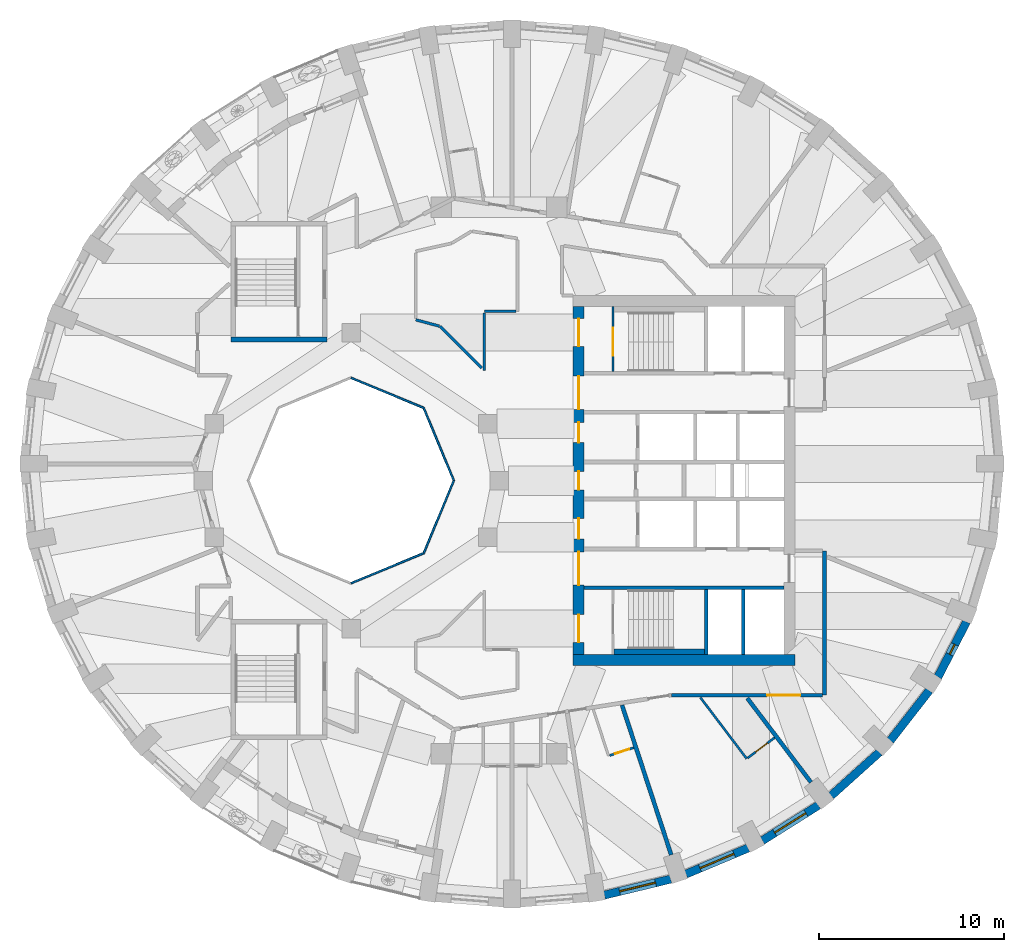
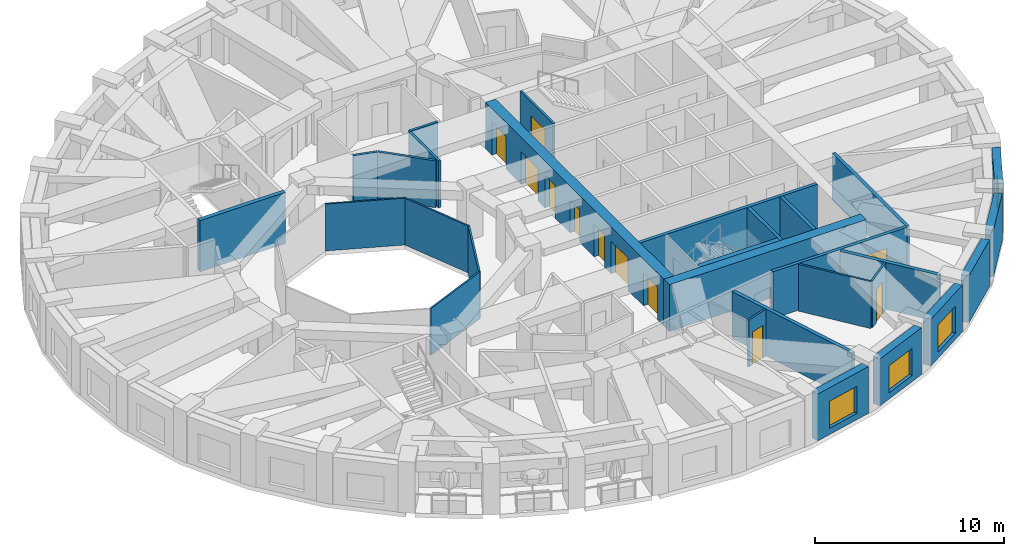
# One storey, part 5 of 12: 29 walls, 11 doors, 4 windows, 15 openings.
"""IFC4 building model written with IfcOpenShell, lengths in metres."""

from ifc_helpers import new_model, si_unit, direction, frame, frame_2d, origin, place, context, subcontext, project, spatial, rectangle, extrude, material, layer, layer_set, type_object, element, fill, save


model = new_model("IFC4")

# Units and contexts
model_context = context("Model", 3, precision=1e-05, world=origin(), true_north=direction((0.0, 1.0)))
body_context = subcontext(model_context, "Body", "Model", "MODEL_VIEW")
ifc_project = project(units=[si_unit("LENGTHUNIT", "METRE"), si_unit("AREAUNIT", "SQUARE_METRE"), si_unit("VOLUMEUNIT", "CUBIC_METRE"), si_unit("PLANEANGLEUNIT", "RADIAN"), si_unit("MASSUNIT", "GRAM", prefix="KILO")], contexts=[model_context])

# Site, building, storey
site_placement = place(None, origin())
site = spatial("IfcSite", under=ifc_project, at=site_placement, CompositionType="ELEMENT")
building_placement = place(site_placement, origin())
building = spatial("IfcBuilding", under=site, at=building_placement, Name="Taillehof Tower", CompositionType="ELEMENT")
storey_placement = place(building_placement, frame((0.0, 0.0, 212.300048828125)))
storey = spatial("IfcBuildingStorey", under=building, at=storey_placement, Name="L60", CompositionType="ELEMENT", Elevation=212.300048828125)

# Walls
ifc_material_1 = material(Name="Fire-resisting glass in steel frame", Category="steel")
ifc_layer_1 = layer(ifc_material_1, 0.10009765625)
ifc_layer_set_1 = layer_set([ifc_layer_1], Name="Atrium fire-resisting screen EI 60 100")
wall_type_1 = type_object("IfcWallType", Name="Atrium fire-resisting screen EI 60 100", PredefinedType="PARTITIONING", material=ifc_layer_set_1)
for number, where, z_axis, x_axis, name in (
    (1, (-2.44580078125, 0.0, 0.0), (0.0, 0.0, 1.0), (-0.382730523909, -0.923860025149, 0.0), "Atrium screen"),
    (2, (-4.07275390625, -3.92724609375, 0.0), (0.0, 0.0, 1.0), (-0.923860025149, -0.382730523909, 0.0), "Atrium screen"),
    (3, (-8.0, 5.55419921875, 0.0), (0.0, 0.0, 1.0), (0.923860025149, -0.382730523909, 0.0), "Atrium screen"),
    (4, (-4.07275390625, 3.92724609375, 0.0), (0.0, 0.0, 1.0), (0.382730523909, -0.923860025149, 0.0), "Atrium screen"),
):
    element("IfcWall", number, at=place(storey_placement, frame(where, z_axis=z_axis, x_axis=x_axis)), inside=storey, type_object=wall_type_1, Name=name, PredefinedType="PARTITIONING", context=body_context, shape_type="SweptSolid", body=[
        extrude(rectangle(XDim=4.2509765625, YDim=0.10009765625, at=frame_2d((2.12548828125, 0.0))), origin(), (0.0, 0.0, 1.0), 3.02001953125),
    ])

# Wall, opening, window
ifc_material_2 = material(Name="Brick masonry", Category="masonry")
ifc_layer_2 = layer(ifc_material_2, 0.449951171875)
ifc_layer_set_2 = layer_set([ifc_layer_2], Name="Brick infill wall 450")
wall_type_2 = type_object("IfcWallType", Name="Brick infill wall 450", PredefinedType="SOLIDWALL", material=ifc_layer_set_2)
wall_1_placement = place(storey_placement, frame((5.690673828125, -22.41357421875, 0.0), z_axis=(0.0, 0.0, 1.0), x_axis=(0.9721584944, 0.234324266275, 0.0)))
wall_1 = element("IfcWall", 5, at=wall_1_placement, inside=storey, type_object=wall_type_2, Name="Brick wall L60 bay 29", PredefinedType="SOLIDWALL", context=body_context, shape_type="SweptSolid", body=[
    extrude(rectangle(XDim=3.69775390625, YDim=0.449951171875, at=frame_2d((1.848876953125, 0.0))), origin(), (0.0, 0.0, 1.0), 3.02001953125),
])
opening_1_placement = place(wall_1_placement, frame((0.848876953125, 0.0, 0.39990234375)))
opening_1 = element("IfcOpeningElement", 6, at=opening_1_placement, cuts=wall_1, Name="Opening W2", PredefinedType="OPENING", context=body_context, shape_type="SweptSolid", body=[
    extrude(rectangle(XDim=2.0, YDim=1.75, at=frame_2d((1.0, 0.875))), frame((0.0, 0.23486328125, 0.0), z_axis=(0.0, -1.0, 0.0), x_axis=(1.0, 0.0, 0.0)), (0.0, 0.0, 1.0), 0.469970703125),
])
ifc_material_3 = material(Name="Aluminium window frame with clear double glazing", Category="aluminium")
window_type_1 = type_object("IfcWindowType", Name="Deep-set window 2000x1750", PartitioningType="SINGLE_PANEL", PredefinedType="WINDOW", material=ifc_material_3)
window_1_placement = place(opening_1_placement, origin())
window_1 = element("IfcWindow", 7, at=window_1_placement, inside=storey, type_object=window_type_1, Name="W2", OverallHeight=1.75, OverallWidth=2.0, PartitioningType="SINGLE_PANEL", PredefinedType="WINDOW", context=body_context, shape_type="SweptSolid", body=[
    extrude(rectangle(XDim=2.0, YDim=1.75, at=frame_2d((1.0, 0.875))), frame((0.0, 0.034912109375, 0.0), z_axis=(0.0, -1.0, 0.0), x_axis=(1.0, 0.0, 0.0)), (0.0, 0.0, 1.0), 0.06005859375),
])
fill(opening_1, window_1)

wall_2_placement = place(storey_placement, frame((10.1025390625, -21.279052734375, 0.0), z_axis=(0.0, 0.0, 1.0), x_axis=(0.922168222612, 0.386789050006, 0.0)))
wall_2 = element("IfcWall", 8, at=wall_2_placement, inside=storey, type_object=wall_type_2, Name="Brick wall L60 bay 30", PredefinedType="SOLIDWALL", context=body_context, shape_type="SweptSolid", body=[
    extrude(rectangle(XDim=3.65087890625, YDim=0.449951171875, at=frame_2d((1.825439453125, 0.0))), origin(), (0.0, 0.0, 1.0), 3.02001953125),
])
opening_2_placement = place(wall_2_placement, frame((0.825439453125, 0.0, 0.39990234375)))
opening_2 = element("IfcOpeningElement", 9, at=opening_2_placement, cuts=wall_2, Name="Opening W2", PredefinedType="OPENING", context=body_context, shape_type="SweptSolid", body=[
    extrude(rectangle(XDim=2.0, YDim=1.75, at=frame_2d((1.0, 0.875))), frame((0.0, 0.23486328125, 0.0), z_axis=(0.0, -1.0, 0.0), x_axis=(1.0, 0.0, 0.0)), (0.0, 0.0, 1.0), 0.469970703125),
])
window_2_placement = place(opening_2_placement, origin())
window_2 = element("IfcWindow", 10, at=window_2_placement, inside=storey, type_object=window_type_1, Name="W2", OverallHeight=1.75, OverallWidth=2.0, PartitioningType="SINGLE_PANEL", PredefinedType="WINDOW", context=body_context, shape_type="SweptSolid", body=[
    extrude(rectangle(XDim=2.0, YDim=1.75, at=frame_2d((1.0, 0.875))), frame((0.0, 0.034912109375, 0.0), z_axis=(0.0, -1.0, 0.0), x_axis=(1.0, 0.0, 0.0)), (0.0, 0.0, 1.0), 0.06005859375),
])
fill(opening_2, window_2)

wall_3_placement = place(storey_placement, frame((14.232421875, -19.469970703125, 0.0), z_axis=(0.0, 0.0, 1.0), x_axis=(0.84614984472, 0.532945063098, 0.0)))
wall_3 = element("IfcWall", 11, at=wall_3_placement, inside=storey, type_object=wall_type_2, Name="Brick wall L60 bay 31", PredefinedType="SOLIDWALL", context=body_context, shape_type="SweptSolid", body=[
    extrude(rectangle(XDim=3.58642578125, YDim=0.449951171875, at=frame_2d((1.793212890625, 0.0))), origin(), (0.0, 0.0, 1.0), 3.02001953125),
])
opening_3_placement = place(wall_3_placement, frame((0.79345703125, 0.0, 0.39990234375)))
opening_3 = element("IfcOpeningElement", 12, at=opening_3_placement, cuts=wall_3, Name="Opening W2", PredefinedType="OPENING", context=body_context, shape_type="SweptSolid", body=[
    extrude(rectangle(XDim=2.0, YDim=1.75, at=frame_2d((1.0, 0.875))), frame((0.0, 0.23486328125, 0.0), z_axis=(0.0, -1.0, 0.0), x_axis=(1.0, 0.0, 0.0)), (0.0, 0.0, 1.0), 0.469970703125),
])
window_3_placement = place(opening_3_placement, origin())
window_3 = element("IfcWindow", 13, at=window_3_placement, inside=storey, type_object=window_type_1, Name="W2", OverallHeight=1.75, OverallWidth=2.0, PartitioningType="SINGLE_PANEL", PredefinedType="WINDOW", context=body_context, shape_type="SweptSolid", body=[
    extrude(rectangle(XDim=2.0, YDim=1.75, at=frame_2d((1.0, 0.875))), frame((0.0, 0.034912109375, 0.0), z_axis=(0.0, -1.0, 0.0), x_axis=(1.0, 0.0, 0.0)), (0.0, 0.0, 1.0), 0.06005859375),
])
fill(opening_3, window_3)

# Walls
wall_4_placement = place(storey_placement, frame((17.953369140625, -17.039794921875, 0.0), z_axis=(0.0, 0.0, 1.0), x_axis=(0.743442727602, 0.668799604348, 0.0)))
element("IfcWall", 14, at=wall_4_placement, inside=storey, type_object=wall_type_2, Name="Brick wall L60 bay 32", PredefinedType="SOLIDWALL", context=body_context, shape_type="SweptSolid", body=[
    extrude(rectangle(XDim=3.5126953125, YDim=0.449951171875, at=frame_2d((1.75634765625, 0.0))), origin(), (0.0, 0.0, 1.0), 3.02001953125),
])
wall_5_placement = place(storey_placement, frame((21.1513671875, -14.06103515625, 0.0), z_axis=(0.0, 0.0, 1.0), x_axis=(0.614255239631, 0.789107407509, 0.0)))
element("IfcWall", 15, at=wall_5_placement, inside=storey, type_object=wall_type_2, Name="Brick wall L60 bay 33", PredefinedType="SOLIDWALL", context=body_context, shape_type="SweptSolid", body=[
    extrude(rectangle(XDim=3.4375, YDim=0.449951171875, at=frame_2d((1.71875, 0.0))), origin(), (0.0, 0.0, 1.0), 3.02001953125),
])

# Wall, opening, window
wall_6_placement = place(storey_placement, frame((23.72705078125, -10.6240234375, 0.0), z_axis=(0.0, 0.0, 1.0), x_axis=(0.460175500475, 0.887827972505, 0.0)))
wall_6 = element("IfcWall", 16, at=wall_6_placement, inside=storey, type_object=wall_type_2, Name="Brick wall L60 bay 34", PredefinedType="SOLIDWALL", context=body_context, shape_type="SweptSolid", body=[
    extrude(rectangle(XDim=3.37060546875, YDim=0.449951171875, at=frame_2d((1.685302734375, 0.0))), origin(), (0.0, 0.0, 1.0), 3.02001953125),
])
opening_4_placement = place(wall_6_placement, frame((1.38525390625, 0.0, 0.39990234375)))
opening_4 = element("IfcOpeningElement", 17, at=opening_4_placement, cuts=wall_6, Name="Opening W6", PredefinedType="OPENING", context=body_context, shape_type="SweptSolid", body=[
    extrude(rectangle(XDim=0.60009765625, YDim=1.75, at=frame_2d((0.300048828125, 0.875))), frame((0.0, 0.23486328125, 0.0), z_axis=(0.0, -1.0, 0.0), x_axis=(1.0, 0.0, 0.0)), (0.0, 0.0, 1.0), 0.469970703125),
])
ifc_material_4 = material(Name="Aluminium window frame with clear double glazing", Category="aluminium")
window_type_2 = type_object("IfcWindowType", Name="Slot window 600x1750", PartitioningType="SINGLE_PANEL", PredefinedType="WINDOW", material=ifc_material_4)
window_4_placement = place(opening_4_placement, origin())
window_4 = element("IfcWindow", 18, at=window_4_placement, inside=storey, type_object=window_type_2, Name="W6", OverallHeight=1.75, OverallWidth=0.60009765625, PartitioningType="SINGLE_PANEL", PredefinedType="WINDOW", context=body_context, shape_type="SweptSolid", body=[
    extrude(rectangle(XDim=0.60009765625, YDim=1.75, at=frame_2d((0.300048828125, 0.875))), frame((0.0, 0.034912109375, 0.0), z_axis=(0.0, -1.0, 0.0), x_axis=(1.0, 0.0, 0.0)), (0.0, 0.0, 1.0), 0.06005859375),
])
fill(opening_4, window_4)

# Wall
ifc_material_5 = material(Name="Gypsum board on steel studs, two layers each side", Category="steel")
ifc_layer_3 = layer(ifc_material_5, 0.199951171875)
ifc_layer_set_3 = layer_set([ifc_layer_3], Name="Compartment wall corridor 200")
wall_type_3 = type_object("IfcWallType", Name="Compartment wall corridor 200", PredefinedType="PARTITIONING", material=ifc_layer_set_3)
wall_7_placement = place(storey_placement, frame((17.60009765625, -3.800048828125, 0.0), z_axis=(0.0, 0.0, 1.0), x_axis=(0.0, -1.0, 0.0)))
element("IfcWall", 19, at=wall_7_placement, inside=storey, type_object=wall_type_3, Name="Compartment wall", PredefinedType="PARTITIONING", context=body_context, shape_type="SweptSolid", body=[
    extrude(rectangle(XDim=7.800048828125, YDim=0.199951171875, at=frame_2d((3.89990234375, 0.0))), origin(), (0.0, 0.0, 1.0), 3.02001953125),
])

# Wall, opening, door
wall_8_placement = place(storey_placement, frame((17.5, -11.60009765625, 0.0), z_axis=(0.0, 0.0, 1.0), x_axis=(-1.0, 0.0, 0.0)))
wall_8 = element("IfcWall", 20, at=wall_8_placement, inside=storey, type_object=wall_type_3, Name="Compartment wall", PredefinedType="PARTITIONING", context=body_context, shape_type="SweptSolid", body=[
    extrude(rectangle(XDim=8.173828125, YDim=0.199951171875, at=frame_2d((4.0869140625, 0.0))), origin(), (0.0, 0.0, 1.0), 3.02001953125),
])
opening_5_placement = place(wall_8_placement, frame((1.20849609375, 0.0, 0.0)))
opening_5 = element("IfcOpeningElement", 21, at=opening_5_placement, cuts=wall_8, Name="Opening D6062", PredefinedType="OPENING", context=body_context, shape_type="SweptSolid", body=[
    extrude(rectangle(XDim=1.800048828125, YDim=2.10009765625, at=frame_2d((0.89990234375, 1.050048828125))), frame((0.0, 0.10986328125, 0.0), z_axis=(0.0, -1.0, 0.0), x_axis=(1.0, 0.0, 0.0)), (0.0, 0.0, 1.0), 0.219970703125),
])
ifc_material_6 = material(Name="Timber door leaf in steel frame", Category="steel")
door_type_1 = type_object("IfcDoorType", Name="Lounge and meeting room double door EI 30 1800 x 2100", OperationType="SINGLE_SWING_LEFT", PredefinedType="DOOR", material=ifc_material_6)
door_1_placement = place(opening_5_placement, origin())
door_1 = element("IfcDoor", 22, at=door_1_placement, inside=storey, type_object=door_type_1, Name="D6062", OperationType="DOUBLE_DOOR_SINGLE_SWING", OverallHeight=2.10009765625, OverallWidth=1.800048828125, PredefinedType="DOOR", context=body_context, shape_type="SweptSolid", body=[
    extrude(rectangle(XDim=1.800048828125, YDim=2.10009765625, at=frame_2d((0.89990234375, 1.050048828125))), frame((0.0, 0.02490234375, 0.0), z_axis=(0.0, -1.0, 0.0), x_axis=(1.0, 0.0, 0.0)), (0.0, 0.0, 1.0), 0.050048828125),
])
fill(opening_5, door_1)

# Walls
ifc_material_7 = material(Name="Gypsum board on double steel studs with mineral wool", Category="steel")
ifc_layer_4 = layer(ifc_material_7, 0.219970703125)
ifc_layer_set_4 = layer_set([ifc_layer_4], Name="Compartment wall guest room 220")
wall_type_4 = type_object("IfcWallType", Name="Compartment wall guest room 220", PredefinedType="PARTITIONING", material=ifc_layer_set_4)
wall_9_placement = place(storey_placement, frame((9.30712890625, -20.2353515625, 0.0), z_axis=(0.0, 0.0, 1.0), x_axis=(-0.311959631661, 0.950095357432, 0.0)))
element("IfcWall", 23, at=wall_9_placement, inside=storey, type_object=wall_type_4, Name="Compartment wall", PredefinedType="PARTITIONING", context=body_context, shape_type="SweptSolid", body=[
    extrude(rectangle(XDim=8.517822265625, YDim=0.219970703125, at=frame_2d((4.2587890625, 0.0))), origin(), (0.0, 0.0, 1.0), 3.02001953125),
])
wall_10_placement = place(storey_placement, frame((16.86328125, -16.3125, 0.0), z_axis=(0.0, 0.0, 1.0), x_axis=(-0.603636051313, 0.797260006243, 0.0)))
element("IfcWall", 24, at=wall_10_placement, inside=storey, type_object=wall_type_4, Name="Compartment wall", PredefinedType="PARTITIONING", context=body_context, shape_type="SweptSolid", body=[
    extrude(rectangle(XDim=5.70556640625, YDim=0.219970703125, at=frame_2d((2.852783203125, 0.0))), origin(), (0.0, 0.0, 1.0), 3.02001953125),
])
ifc_material_8 = material(Name="Calcium silicate masonry", Category="masonry")
ifc_layer_5 = layer(ifc_material_8, 0.300048828125)
ifc_layer_set_5 = layer_set([ifc_layer_5], Name="Compartment wall lining calcium silicate 300")
wall_type_5 = type_object("IfcWallType", Name="Compartment wall lining calcium silicate 300", PredefinedType="PARTITIONING", material=ifc_layer_set_5)
wall_11_placement = place(storey_placement, frame((6.219970703125, -9.25, 0.0), z_axis=(0.0, 0.0, 1.0), x_axis=(1.0, 0.0, 0.0)))
element("IfcWall", 25, at=wall_11_placement, inside=storey, type_object=wall_type_5, Name="Compartment wall FW", PredefinedType="PARTITIONING", context=body_context, shape_type="SweptSolid", body=[
    extrude(rectangle(XDim=4.880126953125, YDim=0.300048828125, at=frame_2d((2.43994140625, 0.0))), origin(), (0.0, 0.0, 1.0), 3.02001953125),
])
ifc_material_9 = material(Name="Gypsum board on steel studs, two layers each side", Category="steel")
ifc_layer_6 = layer(ifc_material_9, 0.14990234375)
ifc_layer_set_6 = layer_set([ifc_layer_6], Name="Compartment wall service room 150")
wall_type_6 = type_object("IfcWallType", Name="Compartment wall service room 150", PredefinedType="PARTITIONING", material=ifc_layer_set_6)
wall_12_placement = place(storey_placement, frame((0.919921875, 9.14990234375, 0.0), z_axis=(0.0, 0.0, 1.0), x_axis=(-1.0, 0.0, 0.0)))
element("IfcWall", 26, at=wall_12_placement, inside=storey, type_object=wall_type_6, Name="Compartment wall", PredefinedType="PARTITIONING", context=body_context, shape_type="SweptSolid", body=[
    extrude(rectangle(XDim=1.719970703125, YDim=0.14990234375, at=frame_2d((0.85986328125, 0.0))), origin(), (0.0, 0.0, 1.0), 3.02001953125),
])
wall_13_placement = place(storey_placement, frame((-0.800048828125, 9.06982421875, 0.0), z_axis=(0.0, 0.0, 1.0), x_axis=(0.0, -1.0, 0.0)))
element("IfcWall", 27, at=wall_13_placement, inside=storey, type_object=wall_type_6, Name="Compartment wall", PredefinedType="PARTITIONING", context=body_context, shape_type="SweptSolid", body=[
    extrude(rectangle(XDim=3.11767578125, YDim=0.14990234375, at=frame_2d((1.558837890625, 0.0))), origin(), (0.0, 0.0, 1.0), 3.02001953125),
])
wall_14_placement = place(storey_placement, frame((-0.927490234375, 6.07958984375, 0.0), z_axis=(0.0, 0.0, 1.0), x_axis=(-0.707106781187, 0.707106781187, 0.0)))
element("IfcWall", 28, at=wall_14_placement, inside=storey, type_object=wall_type_6, Name="Compartment wall", PredefinedType="PARTITIONING", context=body_context, shape_type="SweptSolid", body=[
    extrude(rectangle(XDim=3.194091796875, YDim=0.14990234375, at=frame_2d((1.59716796875, 0.0))), origin(), (0.0, 0.0, 1.0), 3.02001953125),
])
wall_15_placement = place(storey_placement, frame((-3.224609375, 8.348388671875, 0.0), z_axis=(0.0, 0.0, 1.0), x_axis=(-0.965915035697, 0.258859312783, 0.0)))
element("IfcWall", 29, at=wall_15_placement, inside=storey, type_object=wall_type_6, Name="Compartment wall", PredefinedType="PARTITIONING", context=body_context, shape_type="SweptSolid", body=[
    extrude(rectangle(XDim=1.3203125, YDim=0.14990234375, at=frame_2d((0.66015625, 0.0))), origin(), (0.0, 0.0, 1.0), 3.02001953125),
])

# Wall, openings, doors
ifc_material_10 = material(Name="Concrete C80/95", Category="concrete")
ifc_layer_7 = layer(ifc_material_10, 0.60009765625)
ifc_layer_set_7 = layer_set([ifc_layer_7], Name="Core wall C80/95 600")
wall_type_7 = type_object("IfcWallType", Name="Core wall C80/95 600", PredefinedType="SHEAR", material=ifc_layer_set_7)
wall_16_placement = place(storey_placement, frame((4.300048828125, -9.39990234375, 0.0), z_axis=(0.0, 0.0, 1.0), x_axis=(0.0, 1.0, 0.0)))
wall_16 = element("IfcWall", 30, at=wall_16_placement, inside=storey, type_object=wall_type_7, Name="Core wall CW01", PredefinedType="SHEAR", context=body_context, shape_type="SweptSolid", body=[
    extrude(rectangle(XDim=18.7998046875, YDim=0.60009765625, at=frame_2d((9.39990234375, 0.0))), origin(), (0.0, 0.0, 1.0), 3.02001953125),
])
opening_6_placement = place(wall_16_placement, frame((0.64990234375, 0.0, 0.0)))
opening_6 = element("IfcOpeningElement", 31, at=opening_6_placement, cuts=wall_16, Name="Opening D6001", PredefinedType="OPENING", context=body_context, shape_type="SweptSolid", body=[
    extrude(rectangle(XDim=1.5, YDim=2.10009765625, at=frame_2d((0.75, 1.050048828125))), frame((0.0, 0.31005859375, 0.0), z_axis=(0.0, -1.0, 0.0), x_axis=(1.0, 0.0, 0.0)), (0.0, 0.0, 1.0), 0.6201171875),
])
opening_7_placement = place(wall_16_placement, frame((3.75, 0.0, 0.0)))
opening_7 = element("IfcOpeningElement", 32, at=opening_7_placement, cuts=wall_16, Name="Opening D6002", PredefinedType="OPENING", context=body_context, shape_type="SweptSolid", body=[
    extrude(rectangle(XDim=1.800048828125, YDim=2.10009765625, at=frame_2d((0.89990234375, 1.050048828125))), frame((0.0, 0.31005859375, 0.0), z_axis=(0.0, -1.0, 0.0), x_axis=(1.0, 0.0, 0.0)), (0.0, 0.0, 1.0), 0.6201171875),
])
opening_8_placement = place(wall_16_placement, frame((6.25, 0.0, 0.0)))
opening_8 = element("IfcOpeningElement", 33, at=opening_8_placement, cuts=wall_16, Name="Opening D6003", PredefinedType="OPENING", context=body_context, shape_type="SweptSolid", body=[
    extrude(rectangle(XDim=1.10009765625, YDim=2.10009765625, at=frame_2d((0.550048828125, 1.050048828125))), frame((0.0, 0.31005859375, 0.0), z_axis=(0.0, -1.0, 0.0), x_axis=(1.0, 0.0, 0.0)), (0.0, 0.0, 1.0), 0.6201171875),
])
opening_9_placement = place(wall_16_placement, frame((8.89990234375, 0.0, 0.0)))
opening_9 = element("IfcOpeningElement", 34, at=opening_9_placement, cuts=wall_16, Name="Opening D6004", PredefinedType="OPENING", context=body_context, shape_type="SweptSolid", body=[
    extrude(rectangle(XDim=1.0, YDim=2.10009765625, at=frame_2d((0.5, 1.050048828125))), frame((0.0, 0.31005859375, 0.0), z_axis=(0.0, -1.0, 0.0), x_axis=(1.0, 0.0, 0.0)), (0.0, 0.0, 1.0), 0.6201171875),
])
opening_10_placement = place(wall_16_placement, frame((11.449951171875, 0.0, 0.0)))
opening_10 = element("IfcOpeningElement", 35, at=opening_10_placement, cuts=wall_16, Name="Opening D6005", PredefinedType="OPENING", context=body_context, shape_type="SweptSolid", body=[
    extrude(rectangle(XDim=1.10009765625, YDim=2.10009765625, at=frame_2d((0.550048828125, 1.050048828125))), frame((0.0, 0.31005859375, 0.0), z_axis=(0.0, -1.0, 0.0), x_axis=(1.0, 0.0, 0.0)), (0.0, 0.0, 1.0), 0.6201171875),
])
opening_11_placement = place(wall_16_placement, frame((13.25, 0.0, 0.0)))
opening_11 = element("IfcOpeningElement", 36, at=opening_11_placement, cuts=wall_16, Name="Opening D6006", PredefinedType="OPENING", context=body_context, shape_type="SweptSolid", body=[
    extrude(rectangle(XDim=1.800048828125, YDim=2.10009765625, at=frame_2d((0.89990234375, 1.050048828125))), frame((0.0, 0.31005859375, 0.0), z_axis=(0.0, -1.0, 0.0), x_axis=(1.0, 0.0, 0.0)), (0.0, 0.0, 1.0), 0.6201171875),
])
opening_12_placement = place(wall_16_placement, frame((16.64990234375, 0.0, 0.0)))
opening_12 = element("IfcOpeningElement", 37, at=opening_12_placement, cuts=wall_16, Name="Opening D6007", PredefinedType="OPENING", context=body_context, shape_type="SweptSolid", body=[
    extrude(rectangle(XDim=1.5, YDim=2.10009765625, at=frame_2d((0.75, 1.050048828125))), frame((0.0, 0.31005859375, 0.0), z_axis=(0.0, -1.0, 0.0), x_axis=(1.0, 0.0, 0.0)), (0.0, 0.0, 1.0), 0.6201171875),
])
ifc_material_11 = material(Name="Steel-faced fire door", Category="steel")
door_type_2 = type_object("IfcDoorType", Name="Firefighting lobby door 1100x2100", OperationType="SINGLE_SWING_RIGHT", PredefinedType="DOOR", material=ifc_material_11)
door_2_placement = place(opening_8_placement, origin())
door_2 = element("IfcDoor", 38, at=door_2_placement, inside=storey, type_object=door_type_2, Name="Firefighting lobby door FFL-S", OperationType="SINGLE_SWING_RIGHT", OverallHeight=2.10009765625, OverallWidth=1.10009765625, PredefinedType="DOOR", context=body_context, shape_type="SweptSolid", body=[
    extrude(rectangle(XDim=1.10009765625, YDim=2.10009765625, at=frame_2d((0.550048828125, 1.050048828125))), frame((0.0, 0.02490234375, 0.0), z_axis=(0.0, -1.0, 0.0), x_axis=(1.0, 0.0, 0.0)), (0.0, 0.0, 1.0), 0.050048828125),
])
fill(opening_8, door_2)
door_3_placement = place(opening_10_placement, origin())
door_3 = element("IfcDoor", 39, at=door_3_placement, inside=storey, type_object=door_type_2, Name="Firefighting lobby door FFL-N", OperationType="SINGLE_SWING_LEFT", OverallHeight=2.10009765625, OverallWidth=1.10009765625, PredefinedType="DOOR", context=body_context, shape_type="SweptSolid", body=[
    extrude(rectangle(XDim=1.10009765625, YDim=2.10009765625, at=frame_2d((0.550048828125, 1.050048828125))), frame((0.0, 0.02490234375, 0.0), z_axis=(0.0, -1.0, 0.0), x_axis=(1.0, 0.0, 0.0)), (0.0, 0.0, 1.0), 0.050048828125),
])
fill(opening_10, door_3)
ifc_material_12 = material(Name="Steel-faced fire door", Category="steel")
door_type_3 = type_object("IfcDoorType", Name="Lift lobby door 1800x2100", OperationType="DOUBLE_DOOR_SINGLE_SWING", PredefinedType="DOOR", material=ifc_material_12)
door_4_placement = place(opening_7_placement, origin())
door_4 = element("IfcDoor", 40, at=door_4_placement, inside=storey, type_object=door_type_3, Name="Lift lobby door LL-S", OperationType="DOUBLE_DOOR_SINGLE_SWING", OverallHeight=2.10009765625, OverallWidth=1.800048828125, PredefinedType="DOOR", context=body_context, shape_type="SweptSolid", body=[
    extrude(rectangle(XDim=1.800048828125, YDim=2.10009765625, at=frame_2d((0.89990234375, 1.050048828125))), frame((0.0, 0.02490234375, 0.0), z_axis=(0.0, -1.0, 0.0), x_axis=(1.0, 0.0, 0.0)), (0.0, 0.0, 1.0), 0.050048828125),
])
fill(opening_7, door_4)
door_5_placement = place(opening_11_placement, origin())
door_5 = element("IfcDoor", 41, at=door_5_placement, inside=storey, type_object=door_type_3, Name="Lift lobby door LL-N", OperationType="DOUBLE_DOOR_SINGLE_SWING", OverallHeight=2.10009765625, OverallWidth=1.800048828125, PredefinedType="DOOR", context=body_context, shape_type="SweptSolid", body=[
    extrude(rectangle(XDim=1.800048828125, YDim=2.10009765625, at=frame_2d((0.89990234375, 1.050048828125))), frame((0.0, 0.02490234375, 0.0), z_axis=(0.0, -1.0, 0.0), x_axis=(1.0, 0.0, 0.0)), (0.0, 0.0, 1.0), 0.050048828125),
])
fill(opening_11, door_5)
ifc_material_13 = material(Name="Steel-faced fire door", Category="steel")
door_type_4 = type_object("IfcDoorType", Name="Service door 1000x2100", OperationType="SINGLE_SWING_RIGHT", PredefinedType="DOOR", material=ifc_material_13)
door_6_placement = place(opening_9_placement, origin())
door_6 = element("IfcDoor", 42, at=door_6_placement, inside=storey, type_object=door_type_4, Name="Service door SV", OperationType="SINGLE_SWING_RIGHT", OverallHeight=2.10009765625, OverallWidth=1.0, PredefinedType="DOOR", context=body_context, shape_type="SweptSolid", body=[
    extrude(rectangle(XDim=1.0, YDim=2.10009765625, at=frame_2d((0.5, 1.050048828125))), frame((0.0, 0.02490234375, 0.0), z_axis=(0.0, -1.0, 0.0), x_axis=(1.0, 0.0, 0.0)), (0.0, 0.0, 1.0), 0.050048828125),
])
fill(opening_9, door_6)
ifc_material_14 = material(Name="Steel-faced fire door", Category="steel")
door_type_5 = type_object("IfcDoorType", Name="Stair door 1500x2100", OperationType="DOUBLE_DOOR_SINGLE_SWING", PredefinedType="DOOR", material=ifc_material_14)
door_7_placement = place(opening_6_placement, origin())
door_7 = element("IfcDoor", 43, at=door_7_placement, inside=storey, type_object=door_type_5, Name="Stair door S2", OperationType="DOUBLE_DOOR_SINGLE_SWING", OverallHeight=2.10009765625, OverallWidth=1.5, PredefinedType="DOOR", context=body_context, shape_type="SweptSolid", body=[
    extrude(rectangle(XDim=1.5, YDim=2.10009765625, at=frame_2d((0.75, 1.050048828125))), frame((0.0, 0.02490234375, 0.0), z_axis=(0.0, -1.0, 0.0), x_axis=(1.0, 0.0, 0.0)), (0.0, 0.0, 1.0), 0.050048828125),
])
fill(opening_6, door_7)
door_8_placement = place(opening_12_placement, origin())
door_8 = element("IfcDoor", 44, at=door_8_placement, inside=storey, type_object=door_type_5, Name="Stair door S1", OperationType="DOUBLE_DOOR_SINGLE_SWING", OverallHeight=2.10009765625, OverallWidth=1.5, PredefinedType="DOOR", context=body_context, shape_type="SweptSolid", body=[
    extrude(rectangle(XDim=1.5, YDim=2.10009765625, at=frame_2d((0.75, 1.050048828125))), frame((0.0, 0.02490234375, 0.0), z_axis=(0.0, -1.0, 0.0), x_axis=(1.0, 0.0, 0.0)), (0.0, 0.0, 1.0), 0.050048828125),
])
fill(opening_12, door_8)

# Walls
wall_17_placement = place(storey_placement, frame((4.0, -9.699951171875, 0.0), z_axis=(0.0, 0.0, 1.0), x_axis=(1.0, 0.0, 0.0)))
element("IfcWall", 45, at=wall_17_placement, inside=storey, type_object=wall_type_7, Name="Core wall CW07", PredefinedType="SHEAR", context=body_context, shape_type="SweptSolid", body=[
    extrude(rectangle(XDim=12.0, YDim=0.60009765625, at=frame_2d((6.0, 0.0))), origin(), (0.0, 0.0, 1.0), 3.02001953125),
])
ifc_material_15 = material(Name="Gypsum board on steel studs, moisture resistant", Category="steel")
ifc_layer_8 = layer(ifc_material_15, 0.1201171875)
ifc_layer_set_8 = layer_set([ifc_layer_8], Name="En-suite wall 120")
wall_type_8 = type_object("IfcWallType", Name="En-suite wall 120", PredefinedType="PARTITIONING", material=ifc_layer_set_8)
wall_18_placement = place(storey_placement, frame((10.88671875, -11.73193359375, 0.0), z_axis=(0.0, 0.0, 1.0), x_axis=(0.603646932038, -0.797251767913, 0.0)))
element("IfcWall", 46, at=wall_18_placement, inside=storey, type_object=wall_type_8, Name="En-suite wall", PredefinedType="PARTITIONING", context=body_context, shape_type="SweptSolid", body=[
    extrude(rectangle(XDim=4.148681640625, YDim=0.1201171875, at=frame_2d((2.07421875, 0.0))), origin(), (0.0, 0.0, 1.0), 3.02001953125),
])

# Wall, opening, door
wall_19_placement = place(storey_placement, frame((5.97607421875, -14.8671875, 0.0), z_axis=(0.0, 0.0, 1.0), x_axis=(0.950123887932, 0.311872726573, 0.0)))
wall_19 = element("IfcWall", 47, at=wall_19_placement, inside=storey, type_object=wall_type_8, Name="En-suite wall", PredefinedType="PARTITIONING", context=body_context, shape_type="SweptSolid", body=[
    extrude(rectangle(XDim=1.380126953125, YDim=0.1201171875, at=frame_2d((0.68994140625, 0.0))), origin(), (0.0, 0.0, 1.0), 3.02001953125),
])
opening_13_placement = place(wall_19_placement, frame((0.31494140625, 0.0, 0.0)))
opening_13 = element("IfcOpeningElement", 48, at=opening_13_placement, cuts=wall_19, Name="Opening D6059", PredefinedType="OPENING", context=body_context, shape_type="SweptSolid", body=[
    extrude(rectangle(XDim=0.800048828125, YDim=2.10009765625, at=frame_2d((0.39990234375, 1.050048828125))), frame((0.0, 0.070068359375, 0.0), z_axis=(0.0, -1.0, 0.0), x_axis=(1.0, 0.0, 0.0)), (0.0, 0.0, 1.0), 0.14013671875),
])
ifc_material_16 = material(Name="Timber door leaf in steel frame", Category="steel")
door_type_6 = type_object("IfcDoorType", Name="En-suite door 800 x 2100", OperationType="SINGLE_SWING_LEFT", PredefinedType="DOOR", material=ifc_material_16)
door_9_placement = place(opening_13_placement, origin())
door_9 = element("IfcDoor", 49, at=door_9_placement, inside=storey, type_object=door_type_6, Name="D6059", OperationType="SINGLE_SWING_LEFT", OverallHeight=2.10009765625, OverallWidth=0.800048828125, PredefinedType="DOOR", context=body_context, shape_type="SweptSolid", body=[
    extrude(rectangle(XDim=0.800048828125, YDim=2.10009765625, at=frame_2d((0.39990234375, 1.050048828125))), frame((0.0, 0.02490234375, 0.0), z_axis=(0.0, -1.0, 0.0), x_axis=(1.0, 0.0, 0.0)), (0.0, 0.0, 1.0), 0.050048828125),
])
fill(opening_13, door_9)

wall_20_placement = place(storey_placement, frame((13.43896484375, -15.00341796875, 0.0), z_axis=(0.0, 0.0, 1.0), x_axis=(0.797238062708, 0.603665032422, 0.0)))
wall_20 = element("IfcWall", 50, at=wall_20_placement, inside=storey, type_object=wall_type_8, Name="En-suite wall", PredefinedType="PARTITIONING", context=body_context, shape_type="SweptSolid", body=[
    extrude(rectangle(XDim=1.830078125, YDim=0.1201171875, at=frame_2d((0.9150390625, 0.0))), origin(), (0.0, 0.0, 1.0), 3.02001953125),
])
opening_14_placement = place(wall_20_placement, frame((0.5400390625, 0.0, 0.0)))
opening_14 = element("IfcOpeningElement", 51, at=opening_14_placement, cuts=wall_20, Name="Opening D6061", PredefinedType="OPENING", context=body_context, shape_type="SweptSolid", body=[
    extrude(rectangle(XDim=0.800048828125, YDim=2.10009765625, at=frame_2d((0.39990234375, 1.050048828125))), frame((0.0, 0.070068359375, 0.0), z_axis=(0.0, -1.0, 0.0), x_axis=(1.0, 0.0, 0.0)), (0.0, 0.0, 1.0), 0.14013671875),
])
door_10_placement = place(opening_14_placement, origin())
door_10 = element("IfcDoor", 52, at=door_10_placement, inside=storey, type_object=door_type_6, Name="D6061", OperationType="SINGLE_SWING_LEFT", OverallHeight=2.10009765625, OverallWidth=0.800048828125, PredefinedType="DOOR", context=body_context, shape_type="SweptSolid", body=[
    extrude(rectangle(XDim=0.800048828125, YDim=2.10009765625, at=frame_2d((0.39990234375, 1.050048828125))), frame((0.0, 0.02490234375, 0.0), z_axis=(0.0, -1.0, 0.0), x_axis=(1.0, 0.0, 0.0)), (0.0, 0.0, 1.0), 0.050048828125),
])
fill(opening_14, door_10)

# Walls
ifc_material_17 = material(Name="Concrete C50/60", Category="concrete")
ifc_layer_9 = layer(ifc_material_17, 0.199951171875)
ifc_layer_set_9 = layer_set([ifc_layer_9], Name="Shaft wall C50/60 200")
wall_type_9 = type_object("IfcWallType", Name="Shaft wall C50/60 200", PredefinedType="SHEAR", material=ifc_layer_set_9)
wall_21_placement = place(storey_placement, frame((4.60009765625, -5.800048828125, 0.0), z_axis=(0.0, 0.0, 1.0), x_axis=(1.0, 0.0, 0.0)))
element("IfcWall", 53, at=wall_21_placement, inside=storey, type_object=wall_type_9, Name="Shaft wall SW", PredefinedType="SHEAR", context=body_context, shape_type="SweptSolid", body=[
    extrude(rectangle(XDim=10.7998046875, YDim=0.199951171875, at=frame_2d((5.39990234375, 0.0))), origin(), (0.0, 0.0, 1.0), 3.02001953125),
])
for number, where, z_axis, x_axis, name in (
    (54, (11.199951171875, -9.39990234375, 0.0), (0.0, 0.0, 1.0), (0.0, 1.0, 0.0), "Shaft wall SW"),
    (55, (13.199951171875, -9.39990234375, 0.0), (0.0, 0.0, 1.0), (0.0, 1.0, 0.0), "Shaft wall SW"),
):
    element("IfcWall", number, at=place(storey_placement, frame(where, z_axis=z_axis, x_axis=x_axis)), inside=storey, type_object=wall_type_9, Name=name, PredefinedType="SHEAR", context=body_context, shape_type="SweptSolid", body=[
        extrude(rectangle(XDim=3.5, YDim=0.199951171875, at=frame_2d((1.75, 0.0))), origin(), (0.0, 0.0, 1.0), 3.02001953125),
    ])

# Wall, opening, door
ifc_material_18 = material(Name="Concrete C50/60", Category="concrete")
ifc_layer_10 = layer(ifc_material_18, 0.1201171875)
ifc_layer_set_10 = layer_set([ifc_layer_10], Name="Stair lobby wall C50/60 120")
wall_type_10 = type_object("IfcWallType", Name="Stair lobby wall C50/60 120", PredefinedType="SHEAR", material=ifc_layer_set_10)
wall_22_placement = place(storey_placement, frame((6.159912109375, 5.89990234375, 0.0), z_axis=(0.0, 0.0, 1.0), x_axis=(0.0, 1.0, 0.0)))
wall_22 = element("IfcWall", 56, at=wall_22_placement, inside=storey, type_object=wall_type_10, Name="Compartment wall SW", PredefinedType="SHEAR", context=body_context, shape_type="SweptSolid", body=[
    extrude(rectangle(XDim=3.5, YDim=0.1201171875, at=frame_2d((1.75, 0.0))), origin(), (0.0, 0.0, 1.0), 3.02001953125),
])
opening_15_placement = place(wall_22_placement, frame((0.85009765625, 0.0, 0.0)))
opening_15 = element("IfcOpeningElement", 57, at=opening_15_placement, cuts=wall_22, Name="Opening D6010", PredefinedType="OPENING", context=body_context, shape_type="SweptSolid", body=[
    extrude(rectangle(XDim=1.5, YDim=2.10009765625, at=frame_2d((0.75, 1.050048828125))), frame((0.0, 0.070068359375, 0.0), z_axis=(0.0, -1.0, 0.0), x_axis=(1.0, 0.0, 0.0)), (0.0, 0.0, 1.0), 0.14013671875),
])
door_11_placement = place(opening_15_placement, origin())
door_11 = element("IfcDoor", 58, at=door_11_placement, inside=storey, type_object=door_type_5, Name="Stair lobby door S1", OperationType="DOUBLE_DOOR_SINGLE_SWING", OverallHeight=2.10009765625, OverallWidth=1.5, PredefinedType="DOOR", context=body_context, shape_type="SweptSolid", body=[
    extrude(rectangle(XDim=1.5, YDim=2.10009765625, at=frame_2d((0.75, 1.050048828125))), frame((0.0, 0.02490234375, 0.0), z_axis=(0.0, -1.0, 0.0), x_axis=(1.0, 0.0, 0.0)), (0.0, 0.0, 1.0), 0.050048828125),
])
fill(opening_15, door_11)

# Wall
ifc_material_19 = material(Name="Concrete C50/60", Category="concrete")
ifc_layer_11 = layer(ifc_material_19, 0.25)
ifc_layer_set_11 = layer_set([ifc_layer_11], Name="Stair wall C50/60 250")
wall_type_11 = type_object("IfcWallType", Name="Stair wall C50/60 250", PredefinedType="SHEAR", material=ifc_layer_set_11)
wall_23_placement = place(storey_placement, frame((-14.5, 7.625, -0.280029296875), z_axis=(0.0, 0.0, 1.0), x_axis=(1.0, 0.0, 0.0)))
element("IfcWall", 59, at=wall_23_placement, inside=storey, type_object=wall_type_11, Name="Stair wall SC", PredefinedType="SHEAR", context=body_context, shape_type="SweptSolid", body=[
    extrude(rectangle(XDim=5.199951171875, YDim=0.25, at=frame_2d((2.60009765625, 0.0))), origin(), (0.0, 0.0, 1.0), 3.300048828125),
])

save(model, "model.ifc")
